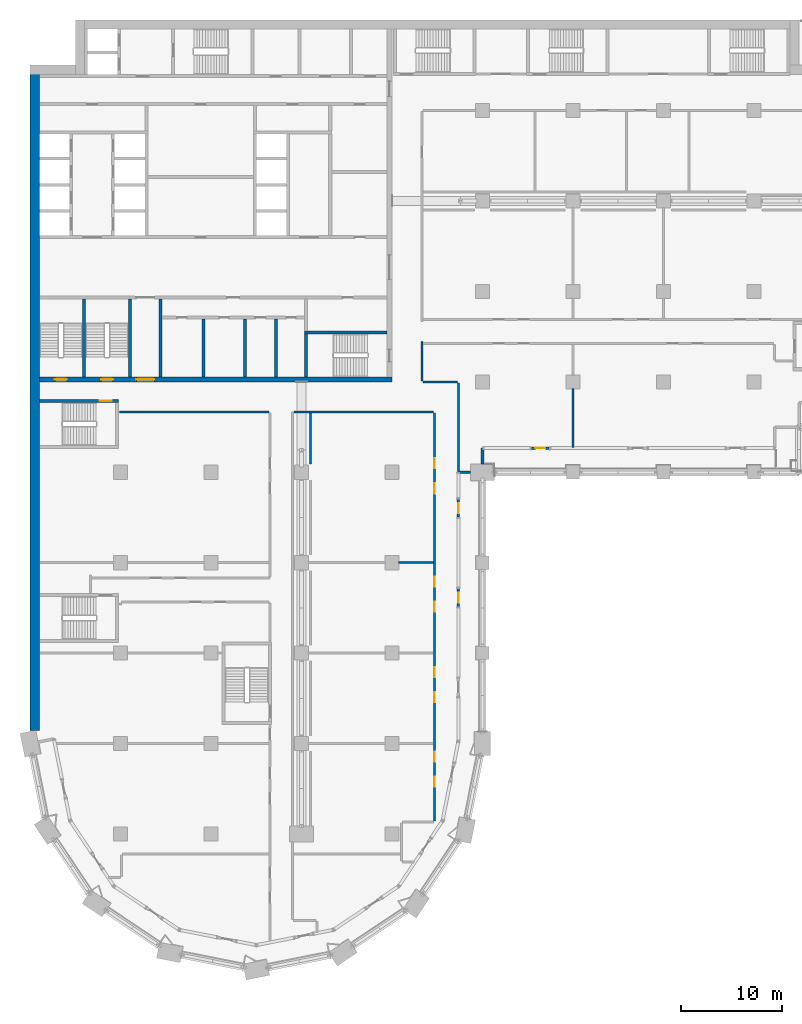
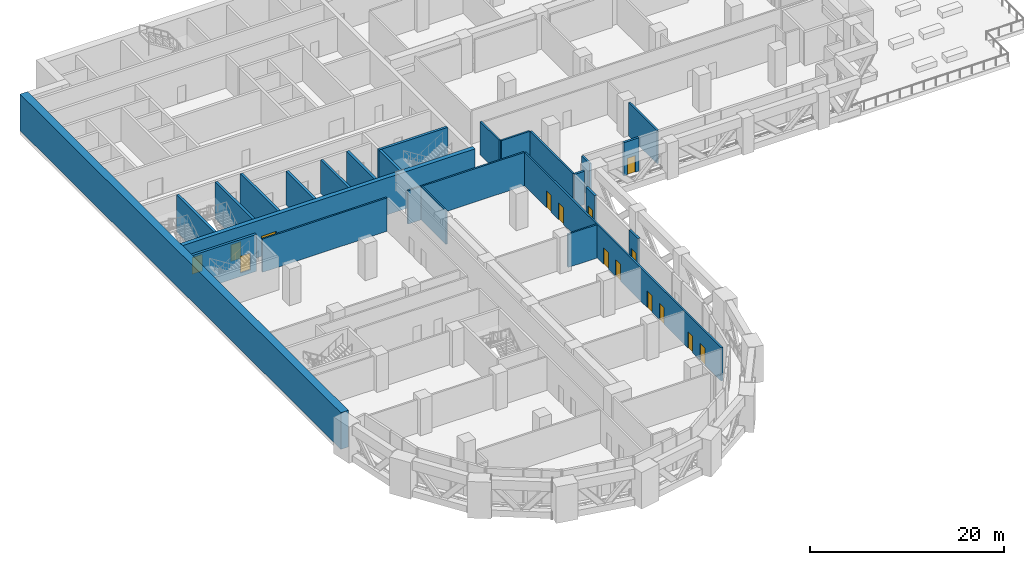
# One storey, part 10 of 24: 25 walls, 15 doors, 15 openings.
"""IFC4 building model written with IfcOpenShell, lengths in metres."""

from ifc_helpers import new_model, si_unit, direction, frame, frame_2d, origin, place, context, subcontext, project, spatial, rectangle, extrude, material, layer, layer_set, type_object, element, fill, save


model = new_model("IFC4")

# Units and contexts
model_context = context("Model", 3, precision=1e-05, world=origin(), true_north=direction((0.0, 1.0)))
body_context = subcontext(model_context, "Body", "Model", "MODEL_VIEW")
ifc_project = project(units=[si_unit("LENGTHUNIT", "METRE"), si_unit("AREAUNIT", "SQUARE_METRE"), si_unit("VOLUMEUNIT", "CUBIC_METRE"), si_unit("PLANEANGLEUNIT", "RADIAN"), si_unit("MASSUNIT", "GRAM", prefix="KILO")], contexts=[model_context])

# Site, building, storey
site_placement = place(None, origin())
site = spatial("IfcSite", under=ifc_project, at=site_placement, CompositionType="ELEMENT")
building_placement = place(site_placement, origin())
building = spatial("IfcBuilding", under=site, at=building_placement, Name="Hunhe Ridgeline Campus", CompositionType="ELEMENT")
storey_placement = place(building_placement, frame((0.0, 0.0, 80.199951171875)))
storey = spatial("IfcBuildingStorey", under=building, at=storey_placement, Name="L19", CompositionType="ELEMENT", Elevation=80.199951171875)

# Walls
ifc_material_1 = material(Name="Masonry concrete blockwork", Category="masonry")
ifc_layer_1 = layer(ifc_material_1, 0.300048828125)
ifc_layer_set_1 = layer_set([ifc_layer_1], Name="Core room partition 300 concrete block")
wall_type_1 = type_object("IfcWallType", Name="Core room partition 300 concrete block", PredefinedType="PARTITIONING", material=ifc_layer_set_1)
wall_1_placement = place(storey_placement, frame((12.949951171875, 63.5, 0.0), z_axis=(0.0, 0.0, 1.0), x_axis=(0.0, 1.0, 0.0)))
element("IfcWall", 1, at=wall_1_placement, inside=storey, type_object=wall_type_1, Name="L19 core partition 48", PredefinedType="PARTITIONING", context=body_context, shape_type="SweptSolid", body=[
    extrude(rectangle(XDim=7.75, YDim=0.300048828125, at=frame_2d((3.875, 0.0))), origin(), (0.0, 0.0, 1.0), 4.199951171875),
])
for number, where, z_axis, x_axis, name in (
    (2, (17.25, 63.5, 0.0), (0.0, 0.0, 1.0), (0.0, 1.0, 0.0), "L19 core partition 50"),
    (3, (21.35009765625, 63.5, 0.0), (0.0, 0.0, 1.0), (0.0, 1.0, 0.0), "L19 core partition 52"),
    (4, (24.449951171875, 63.5, 0.0), (0.0, 0.0, 1.0), (0.0, 1.0, 0.0), "L19 core partition 57"),
):
    element("IfcWall", number, at=place(storey_placement, frame(where, z_axis=z_axis, x_axis=x_axis)), inside=storey, type_object=wall_type_1, Name=name, PredefinedType="PARTITIONING", context=body_context, shape_type="SweptSolid", body=[
        extrude(rectangle(XDim=5.75, YDim=0.300048828125, at=frame_2d((2.875, 0.0))), origin(), (0.0, 0.0, 1.0), 4.199951171875),
    ])

# Wall, openings, doors
ifc_material_2 = material(Name="Concrete C80", Category="concrete")
ifc_layer_2 = layer(ifc_material_2, 0.5)
ifc_layer_set_2 = layer_set([ifc_layer_2], Name="Core wall 500 reinforced concrete C80")
wall_type_2 = type_object("IfcWallType", Name="Core wall 500 reinforced concrete C80", PredefinedType="SOLIDWALL", material=ifc_layer_set_2)
wall_2_placement = place(storey_placement, frame((0.89990234375, 63.25, -0.449951171875), z_axis=(0.0, 0.0, 1.0), x_axis=(1.0, 0.0, 0.0)))
wall_2 = element("IfcWall", 5, at=wall_2_placement, inside=storey, type_object=wall_type_2, Name="L19 core wall 7", PredefinedType="SOLIDWALL", context=body_context, shape_type="SweptSolid", body=[
    extrude(rectangle(XDim=35.10009765625, YDim=0.5, at=frame_2d((17.550048828125, 0.0))), origin(), (0.0, 0.0, 1.0), 4.64990234375),
])
opening_1_placement = place(wall_2_placement, frame((9.64990234375, 0.0, 0.449951171875)))
opening_1 = element("IfcOpeningElement", 6, at=opening_1_placement, cuts=wall_2, Name="Opening CD6", PredefinedType="OPENING", context=body_context, shape_type="SweptSolid", body=[
    extrude(rectangle(XDim=1.800048828125, YDim=2.10009765625, at=frame_2d((0.89990234375, 1.050048828125))), frame((0.0, 0.25, 0.0), z_axis=(0.0, -1.0, 0.0), x_axis=(1.0, 0.0, 0.0)), (0.0, 0.0, 1.0), 0.5),
])
opening_2_placement = place(wall_2_placement, frame((1.550048828125, 0.0, 0.449951171875)))
opening_2 = element("IfcOpeningElement", 7, at=opening_2_placement, cuts=wall_2, Name="Opening CD13", PredefinedType="OPENING", context=body_context, shape_type="SweptSolid", body=[
    extrude(rectangle(XDim=1.199951171875, YDim=2.10009765625, at=frame_2d((0.60009765625, 1.050048828125))), frame((0.0, 0.25, 0.0), z_axis=(0.0, -1.0, 0.0), x_axis=(1.0, 0.0, 0.0)), (0.0, 0.0, 1.0), 0.5),
])
opening_3_placement = place(wall_2_placement, frame((6.14990234375, 0.0, 0.449951171875)))
opening_3 = element("IfcOpeningElement", 8, at=opening_3_placement, cuts=wall_2, Name="Opening CD14", PredefinedType="OPENING", context=body_context, shape_type="SweptSolid", body=[
    extrude(rectangle(XDim=1.199951171875, YDim=2.10009765625, at=frame_2d((0.60009765625, 1.050048828125))), frame((0.0, 0.25, 0.0), z_axis=(0.0, -1.0, 0.0), x_axis=(1.0, 0.0, 0.0)), (0.0, 0.0, 1.0), 0.5),
])
ifc_material_3 = material(Name="Anodised aluminium and glass", Category="aluminium")
door_type_1 = type_object("IfcDoorType", Name="Glazed double door 1800x2100", OperationType="DOUBLE_DOOR_SINGLE_SWING", PredefinedType="DOOR", material=ifc_material_3)
door_1_placement = place(opening_1_placement, frame((1.800048828125, 0.0, 0.0), z_axis=(0.0, 0.0, 1.0), x_axis=(-1.0, 0.0, 0.0)))
door_1 = element("IfcDoor", 9, at=door_1_placement, inside=storey, type_object=door_type_1, Name="L19 door VEST-FLOOR", OperationType="DOUBLE_DOOR_SINGLE_SWING", OverallHeight=2.10009765625, OverallWidth=1.800048828125, PredefinedType="DOOR", context=body_context, shape_type="SweptSolid", body=[
    extrude(rectangle(XDim=1.800048828125, YDim=2.10009765625, at=frame_2d((0.89990234375, 1.050048828125))), frame((0.0, 0.02490234375, 0.0), z_axis=(0.0, -1.0, 0.0), x_axis=(1.0, 0.0, 0.0)), (0.0, 0.0, 1.0), 0.050048828125),
])
fill(opening_1, door_1)
ifc_material_4 = material(Name="Hollow metal fire door leaf")
door_type_2 = type_object("IfcDoorType", Name="Stair door 1200x2100 FD60", OperationType="SINGLE_SWING_LEFT", PredefinedType="DOOR", material=ifc_material_4)
door_2_placement = place(opening_2_placement, frame((1.199951171875, 0.0, 0.0), z_axis=(0.0, 0.0, 1.0), x_axis=(-1.0, 0.0, 0.0)))
door_2 = element("IfcDoor", 10, at=door_2_placement, inside=storey, type_object=door_type_2, Name="L19 door S3", OperationType="SINGLE_SWING_RIGHT", OverallHeight=2.10009765625, OverallWidth=1.199951171875, PredefinedType="DOOR", context=body_context, shape_type="SweptSolid", body=[
    extrude(rectangle(XDim=1.199951171875, YDim=2.10009765625, at=frame_2d((0.60009765625, 1.050048828125))), frame((0.0, 0.02490234375, 0.0), z_axis=(0.0, -1.0, 0.0), x_axis=(1.0, 0.0, 0.0)), (0.0, 0.0, 1.0), 0.050048828125),
])
fill(opening_2, door_2)
door_3_placement = place(opening_3_placement, frame((1.199951171875, 0.0, 0.0), z_axis=(0.0, 0.0, 1.0), x_axis=(-1.0, 0.0, 0.0)))
door_3 = element("IfcDoor", 11, at=door_3_placement, inside=storey, type_object=door_type_2, Name="L19 door S4", OperationType="SINGLE_SWING_LEFT", OverallHeight=2.10009765625, OverallWidth=1.199951171875, PredefinedType="DOOR", context=body_context, shape_type="SweptSolid", body=[
    extrude(rectangle(XDim=1.199951171875, YDim=2.10009765625, at=frame_2d((0.60009765625, 1.050048828125))), frame((0.0, 0.02490234375, 0.0), z_axis=(0.0, -1.0, 0.0), x_axis=(1.0, 0.0, 0.0)), (0.0, 0.0, 1.0), 0.050048828125),
])
fill(opening_3, door_3)

# Walls
ifc_material_5 = material(Name="Concrete C30", Category="concrete")
ifc_layer_3 = layer(ifc_material_5, 0.25)
ifc_layer_set_3 = layer_set([ifc_layer_3], Name="Corner return wall 250 Concrete C30")
wall_type_3 = type_object("IfcWallType", Name="Corner return wall 250 Concrete C30", PredefinedType="SOLIDWALL", material=ifc_layer_set_3)
wall_3_placement = place(storey_placement, frame((42.599365234375, 54.000732421875, 0.0), z_axis=(0.0, 0.0, 1.0), x_axis=(1.0, 0.0, 0.0)))
element("IfcWall", 12, at=wall_3_placement, inside=storey, type_object=wall_type_3, Name="Corner return wall 2", PredefinedType="SOLIDWALL", context=body_context, shape_type="SweptSolid", body=[
    extrude(rectangle(XDim=1.20068359375, YDim=0.25, at=frame_2d((0.600341796875, 0.0))), origin(), (0.0, 0.0, 1.0), 4.199951171875),
])
wall_4_placement = place(storey_placement, frame((44.999267578125, 54.800048828125, 0.0), z_axis=(0.0, 0.0, 1.0), x_axis=(0.00045752626, 0.999999895335, 0.0)))
element("IfcWall", 13, at=wall_4_placement, inside=storey, type_object=wall_type_3, Name="Corner return wall 3", PredefinedType="SOLIDWALL", context=body_context, shape_type="SweptSolid", body=[
    extrude(rectangle(XDim=1.600830078125, YDim=0.25, at=frame_2d((0.80029296875, 0.0))), origin(), (0.0, 0.0, 1.0), 4.199951171875),
])
ifc_material_6 = material(Name="Gypsum board partition")
ifc_layer_4 = layer(ifc_material_6, 0.199951171875)
ifc_layer_set_4 = layer_set([ifc_layer_4], Name="Corridor partition 200 gypsum board on steel studs")
wall_type_4 = type_object("IfcWallType", Name="Corridor partition 200 gypsum board on steel studs", PredefinedType="PARTITIONING", material=ifc_layer_set_4)
wall_5_placement = place(storey_placement, frame((36.64990234375, 45.0, 0.0), z_axis=(0.0, 0.0, 1.0), x_axis=(1.0, 0.0, 0.0)))
element("IfcWall", 14, at=wall_5_placement, inside=storey, type_object=wall_type_4, Name="F-L19-wall-023", PredefinedType="PARTITIONING", context=body_context, shape_type="SweptSolid", body=[
    extrude(rectangle(XDim=3.4501953125, YDim=0.199951171875, at=frame_2d((1.72509765625, 0.0))), origin(), (0.0, 0.0, 1.0), 4.199951171875),
])
wall_6_placement = place(storey_placement, frame((23.75, 60.0, 0.0), z_axis=(0.0, 0.0, 1.0), x_axis=(-1.0, 0.0, 0.0)))
element("IfcWall", 15, at=wall_6_placement, inside=storey, type_object=wall_type_4, Name="F-L19-wall-024", PredefinedType="PARTITIONING", context=body_context, shape_type="SweptSolid", body=[
    extrude(rectangle(XDim=14.845947265625, YDim=0.199951171875, at=frame_2d((7.4228515625, 0.0))), origin(), (0.0, 0.0, 1.0), 4.199951171875),
])
wall_7_placement = place(storey_placement, frame((40.10009765625, 60.0, 0.0), z_axis=(0.0, 0.0, 1.0), x_axis=(-1.0, 0.0, 0.0)))
element("IfcWall", 16, at=wall_7_placement, inside=storey, type_object=wall_type_4, Name="F-L19-wall-025", PredefinedType="PARTITIONING", context=body_context, shape_type="SweptSolid", body=[
    extrude(rectangle(XDim=13.8525390625, YDim=0.199951171875, at=frame_2d((6.92626953125, 0.0))), origin(), (0.0, 0.0, 1.0), 4.199951171875),
])
wall_8_placement = place(storey_placement, frame((39.10009765625, 63.0, 0.0), z_axis=(0.0, 0.0, 1.0), x_axis=(1.0, 0.0, 0.0)))
element("IfcWall", 17, at=wall_8_placement, inside=storey, type_object=wall_type_4, Name="F-L19-wall-026", PredefinedType="PARTITIONING", context=body_context, shape_type="SweptSolid", body=[
    extrude(rectangle(XDim=3.39990234375, YDim=0.199951171875, at=frame_2d((1.699951171875, 0.0))), origin(), (0.0, 0.0, 1.0), 4.199951171875),
])
wall_9_placement = place(storey_placement, frame((27.89990234375, 59.89990234375, 0.0), z_axis=(0.0, 0.0, 1.0), x_axis=(0.0, -1.0, 0.0)))
element("IfcWall", 18, at=wall_9_placement, inside=storey, type_object=wall_type_4, Name="F-L19-wall-056", PredefinedType="PARTITIONING", context=body_context, shape_type="SweptSolid", body=[
    extrude(rectangle(XDim=5.099853515625, YDim=0.199951171875, at=frame_2d((2.5498046875, 0.0))), origin(), (0.0, 0.0, 1.0), 4.199951171875),
])
wall_10_placement = place(storey_placement, frame((39.0, 66.986328125, 0.0), z_axis=(0.0, 0.0, 1.0), x_axis=(0.0, -1.0, 0.0)))
element("IfcWall", 19, at=wall_10_placement, inside=storey, type_object=wall_type_4, Name="F-L19-wall-059", PredefinedType="PARTITIONING", context=body_context, shape_type="SweptSolid", body=[
    extrude(rectangle(XDim=3.88623046875, YDim=0.199951171875, at=frame_2d((1.943115234375, 0.0))), origin(), (0.0, 0.0, 1.0), 4.199951171875),
])

# Wall, openings, doors
wall_11_placement = place(storey_placement, frame((40.199951171875, 19.322021484375, 0.0), z_axis=(0.0, 0.0, 1.0), x_axis=(0.0, 1.0, 0.0)))
wall_11 = element("IfcWall", 20, at=wall_11_placement, inside=storey, type_object=wall_type_4, Name="F-L19-wall-061", PredefinedType="PARTITIONING", context=body_context, shape_type="SweptSolid", body=[
    extrude(rectangle(XDim=40.577880859375, YDim=0.199951171875, at=frame_2d((20.2890625, 0.0))), origin(), (0.0, 0.0, 1.0), 4.199951171875),
])
opening_4_placement = place(wall_11_placement, frame((3.382568359375, 0.0, 0.0)))
opening_4 = element("IfcOpeningElement", 21, at=opening_4_placement, cuts=wall_11, Name="Opening RD1-004", PredefinedType="OPENING", context=body_context, shape_type="SweptSolid", body=[
    extrude(rectangle(XDim=1.0, YDim=2.10009765625, at=frame_2d((0.5, 1.050048828125))), frame((0.0, 0.10009765625, 0.0), z_axis=(0.0, -1.0, 0.0), x_axis=(1.0, 0.0, 0.0)), (0.0, 0.0, 1.0), 0.199951171875),
])
opening_5_placement = place(wall_11_placement, frame((5.882568359375, 0.0, 0.0)))
opening_5 = element("IfcOpeningElement", 22, at=opening_5_placement, cuts=wall_11, Name="Opening RD1-006", PredefinedType="OPENING", context=body_context, shape_type="SweptSolid", body=[
    extrude(rectangle(XDim=1.0, YDim=2.10009765625, at=frame_2d((0.5, 1.050048828125))), frame((0.0, 0.10009765625, 0.0), z_axis=(0.0, -1.0, 0.0), x_axis=(1.0, 0.0, 0.0)), (0.0, 0.0, 1.0), 0.199951171875),
])
opening_6_placement = place(wall_11_placement, frame((11.773681640625, 0.0, 0.0)))
opening_6 = element("IfcOpeningElement", 23, at=opening_6_placement, cuts=wall_11, Name="Opening RD1-008", PredefinedType="OPENING", context=body_context, shape_type="SweptSolid", body=[
    extrude(rectangle(XDim=1.0, YDim=2.10009765625, at=frame_2d((0.5, 1.050048828125))), frame((0.0, 0.10009765625, 0.0), z_axis=(0.0, -1.0, 0.0), x_axis=(1.0, 0.0, 0.0)), (0.0, 0.0, 1.0), 0.199951171875),
])
opening_7_placement = place(wall_11_placement, frame((14.273681640625, 0.0, 0.0)))
opening_7 = element("IfcOpeningElement", 24, at=opening_7_placement, cuts=wall_11, Name="Opening RD1-009", PredefinedType="OPENING", context=body_context, shape_type="SweptSolid", body=[
    extrude(rectangle(XDim=1.0, YDim=2.10009765625, at=frame_2d((0.5, 1.050048828125))), frame((0.0, 0.10009765625, 0.0), z_axis=(0.0, -1.0, 0.0), x_axis=(1.0, 0.0, 0.0)), (0.0, 0.0, 1.0), 0.199951171875),
])
opening_8_placement = place(wall_11_placement, frame((20.791015625, 0.0, 0.0)))
opening_8 = element("IfcOpeningElement", 25, at=opening_8_placement, cuts=wall_11, Name="Opening RD1-010", PredefinedType="OPENING", context=body_context, shape_type="SweptSolid", body=[
    extrude(rectangle(XDim=1.0, YDim=2.10009765625, at=frame_2d((0.5, 1.050048828125))), frame((0.0, 0.10009765625, 0.0), z_axis=(0.0, -1.0, 0.0), x_axis=(1.0, 0.0, 0.0)), (0.0, 0.0, 1.0), 0.199951171875),
])
opening_9_placement = place(wall_11_placement, frame((23.291015625, 0.0, 0.0)))
opening_9 = element("IfcOpeningElement", 26, at=opening_9_placement, cuts=wall_11, Name="Opening RD1-013", PredefinedType="OPENING", context=body_context, shape_type="SweptSolid", body=[
    extrude(rectangle(XDim=1.0, YDim=2.10009765625, at=frame_2d((0.5, 1.050048828125))), frame((0.0, 0.10009765625, 0.0), z_axis=(0.0, -1.0, 0.0), x_axis=(1.0, 0.0, 0.0)), (0.0, 0.0, 1.0), 0.199951171875),
])
opening_10_placement = place(wall_11_placement, frame((32.563720703125, 0.0, 0.0)))
opening_10 = element("IfcOpeningElement", 27, at=opening_10_placement, cuts=wall_11, Name="Opening RD1-017", PredefinedType="OPENING", context=body_context, shape_type="SweptSolid", body=[
    extrude(rectangle(XDim=1.0, YDim=2.10009765625, at=frame_2d((0.5, 1.050048828125))), frame((0.0, 0.10009765625, 0.0), z_axis=(0.0, -1.0, 0.0), x_axis=(1.0, 0.0, 0.0)), (0.0, 0.0, 1.0), 0.199951171875),
])
opening_11_placement = place(wall_11_placement, frame((35.063720703125, 0.0, 0.0)))
opening_11 = element("IfcOpeningElement", 28, at=opening_11_placement, cuts=wall_11, Name="Opening RD1-019", PredefinedType="OPENING", context=body_context, shape_type="SweptSolid", body=[
    extrude(rectangle(XDim=1.0, YDim=2.10009765625, at=frame_2d((0.5, 1.050048828125))), frame((0.0, 0.10009765625, 0.0), z_axis=(0.0, -1.0, 0.0), x_axis=(1.0, 0.0, 0.0)), (0.0, 0.0, 1.0), 0.199951171875),
])
ifc_material_7 = material(Name="Timber door leaf", Category="wood")
door_type_3 = type_object("IfcDoorType", Name="Single fire door 1000x2100 timber FD60", OperationType="NOTDEFINED", PredefinedType="DOOR", material=ifc_material_7)
door_4_placement = place(opening_4_placement, frame((1.0, 0.0, 0.0), z_axis=(0.0, 0.0, 1.0), x_axis=(-1.0, 0.0, 0.0)))
door_4 = element("IfcDoor", 29, at=door_4_placement, inside=storey, type_object=door_type_3, Name="F-L19-door-004", OperationType="SINGLE_SWING_RIGHT", OverallHeight=2.10009765625, OverallWidth=1.0, PredefinedType="DOOR", context=body_context, shape_type="SweptSolid", body=[
    extrude(rectangle(XDim=1.0, YDim=2.10009765625, at=frame_2d((0.5, 1.050048828125))), frame((0.0, 0.02490234375, 0.0), z_axis=(0.0, -1.0, 0.0), x_axis=(1.0, 0.0, 0.0)), (0.0, 0.0, 1.0), 0.050048828125),
])
fill(opening_4, door_4)
door_5_placement = place(opening_5_placement, frame((1.0, 0.0, 0.0), z_axis=(0.0, 0.0, 1.0), x_axis=(-1.0, 0.0, 0.0)))
door_5 = element("IfcDoor", 30, at=door_5_placement, inside=storey, type_object=door_type_3, Name="F-L19-door-006", OperationType="SINGLE_SWING_LEFT", OverallHeight=2.10009765625, OverallWidth=1.0, PredefinedType="DOOR", context=body_context, shape_type="SweptSolid", body=[
    extrude(rectangle(XDim=1.0, YDim=2.10009765625, at=frame_2d((0.5, 1.050048828125))), frame((0.0, 0.02490234375, 0.0), z_axis=(0.0, -1.0, 0.0), x_axis=(1.0, 0.0, 0.0)), (0.0, 0.0, 1.0), 0.050048828125),
])
fill(opening_5, door_5)
door_6_placement = place(opening_6_placement, frame((1.0, 0.0, 0.0), z_axis=(0.0, 0.0, 1.0), x_axis=(-1.0, 0.0, 0.0)))
door_6 = element("IfcDoor", 31, at=door_6_placement, inside=storey, type_object=door_type_3, Name="F-L19-door-008", OperationType="SINGLE_SWING_LEFT", OverallHeight=2.10009765625, OverallWidth=1.0, PredefinedType="DOOR", context=body_context, shape_type="SweptSolid", body=[
    extrude(rectangle(XDim=1.0, YDim=2.10009765625, at=frame_2d((0.5, 1.050048828125))), frame((0.0, 0.02490234375, 0.0), z_axis=(0.0, -1.0, 0.0), x_axis=(1.0, 0.0, 0.0)), (0.0, 0.0, 1.0), 0.050048828125),
])
fill(opening_6, door_6)
door_7_placement = place(opening_7_placement, frame((1.0, 0.0, 0.0), z_axis=(0.0, 0.0, 1.0), x_axis=(-1.0, 0.0, 0.0)))
door_7 = element("IfcDoor", 32, at=door_7_placement, inside=storey, type_object=door_type_3, Name="F-L19-door-009", OperationType="SINGLE_SWING_LEFT", OverallHeight=2.10009765625, OverallWidth=1.0, PredefinedType="DOOR", context=body_context, shape_type="SweptSolid", body=[
    extrude(rectangle(XDim=1.0, YDim=2.10009765625, at=frame_2d((0.5, 1.050048828125))), frame((0.0, 0.02490234375, 0.0), z_axis=(0.0, -1.0, 0.0), x_axis=(1.0, 0.0, 0.0)), (0.0, 0.0, 1.0), 0.050048828125),
])
fill(opening_7, door_7)
door_8_placement = place(opening_8_placement, frame((1.0, 0.0, 0.0), z_axis=(0.0, 0.0, 1.0), x_axis=(-1.0, 0.0, 0.0)))
door_8 = element("IfcDoor", 33, at=door_8_placement, inside=storey, type_object=door_type_3, Name="F-L19-door-010", OperationType="SINGLE_SWING_LEFT", OverallHeight=2.10009765625, OverallWidth=1.0, PredefinedType="DOOR", context=body_context, shape_type="SweptSolid", body=[
    extrude(rectangle(XDim=1.0, YDim=2.10009765625, at=frame_2d((0.5, 1.050048828125))), frame((0.0, 0.02490234375, 0.0), z_axis=(0.0, -1.0, 0.0), x_axis=(1.0, 0.0, 0.0)), (0.0, 0.0, 1.0), 0.050048828125),
])
fill(opening_8, door_8)
door_9_placement = place(opening_9_placement, frame((1.0, 0.0, 0.0), z_axis=(0.0, 0.0, 1.0), x_axis=(-1.0, 0.0, 0.0)))
door_9 = element("IfcDoor", 34, at=door_9_placement, inside=storey, type_object=door_type_3, Name="F-L19-door-013", OperationType="SINGLE_SWING_LEFT", OverallHeight=2.10009765625, OverallWidth=1.0, PredefinedType="DOOR", context=body_context, shape_type="SweptSolid", body=[
    extrude(rectangle(XDim=1.0, YDim=2.10009765625, at=frame_2d((0.5, 1.050048828125))), frame((0.0, 0.02490234375, 0.0), z_axis=(0.0, -1.0, 0.0), x_axis=(1.0, 0.0, 0.0)), (0.0, 0.0, 1.0), 0.050048828125),
])
fill(opening_9, door_9)
door_10_placement = place(opening_10_placement, frame((1.0, 0.0, 0.0), z_axis=(0.0, 0.0, 1.0), x_axis=(-1.0, 0.0, 0.0)))
door_10 = element("IfcDoor", 35, at=door_10_placement, inside=storey, type_object=door_type_3, Name="F-L19-door-017", OperationType="SINGLE_SWING_RIGHT", OverallHeight=2.10009765625, OverallWidth=1.0, PredefinedType="DOOR", context=body_context, shape_type="SweptSolid", body=[
    extrude(rectangle(XDim=1.0, YDim=2.10009765625, at=frame_2d((0.5, 1.050048828125))), frame((0.0, 0.02490234375, 0.0), z_axis=(0.0, -1.0, 0.0), x_axis=(1.0, 0.0, 0.0)), (0.0, 0.0, 1.0), 0.050048828125),
])
fill(opening_10, door_10)
door_11_placement = place(opening_11_placement, frame((1.0, 0.0, 0.0), z_axis=(0.0, 0.0, 1.0), x_axis=(-1.0, 0.0, 0.0)))
door_11 = element("IfcDoor", 36, at=door_11_placement, inside=storey, type_object=door_type_3, Name="F-L19-door-019", OperationType="SINGLE_SWING_LEFT", OverallHeight=2.10009765625, OverallWidth=1.0, PredefinedType="DOOR", context=body_context, shape_type="SweptSolid", body=[
    extrude(rectangle(XDim=1.0, YDim=2.10009765625, at=frame_2d((0.5, 1.050048828125))), frame((0.0, 0.02490234375, 0.0), z_axis=(0.0, -1.0, 0.0), x_axis=(1.0, 0.0, 0.0)), (0.0, 0.0, 1.0), 0.050048828125),
])
fill(opening_11, door_11)

# Walls
wall_12_placement = place(storey_placement, frame((42.60009765625, 62.89990234375, 0.0), z_axis=(0.0, 0.0, 1.0), x_axis=(0.0, -1.0, 0.0)))
element("IfcWall", 37, at=wall_12_placement, inside=storey, type_object=wall_type_4, Name="F-L19-wall-062", PredefinedType="PARTITIONING", context=body_context, shape_type="SweptSolid", body=[
    extrude(rectangle(XDim=8.84521484375, YDim=0.199951171875, at=frame_2d((4.422607421875, 0.0))), origin(), (0.0, 0.0, 1.0), 4.199951171875),
])
wall_13_placement = place(storey_placement, frame((54.0, 62.35009765625, 0.0), z_axis=(0.0, 0.0, 1.0), x_axis=(0.0, -1.0, 0.0)))
element("IfcWall", 38, at=wall_13_placement, inside=storey, type_object=wall_type_4, Name="F-L19-wall-064", PredefinedType="PARTITIONING", context=body_context, shape_type="SweptSolid", body=[
    extrude(rectangle(XDim=5.89501953125, YDim=0.199951171875, at=frame_2d((2.947509765625, 0.0))), origin(), (0.0, 0.0, 1.0), 4.199951171875),
])

# Wall, opening, door
ifc_layer_5 = layer(ifc_material_5, 0.25)
ifc_layer_set_5 = layer_set([ifc_layer_5], Name="Loggia door pier wall 250 Concrete C30")
wall_type_5 = type_object("IfcWallType", Name="Loggia door pier wall 250 Concrete C30", PredefinedType="SOLIDWALL", material=ifc_layer_set_5)
wall_14_placement = place(storey_placement, frame((42.59912109375, 40.61865234375, 0.0), z_axis=(0.0, 0.0, 1.0), x_axis=(0.0, 1.0, 0.0)))
wall_14 = element("IfcWall", 39, at=wall_14_placement, inside=storey, type_object=wall_type_5, Name="Loggia door pier 10", PredefinedType="SOLIDWALL", context=body_context, shape_type="SweptSolid", body=[
    extrude(rectangle(XDim=1.800048828125, YDim=0.25, at=frame_2d((0.89990234375, 0.0))), origin(), (0.0, 0.0, 1.0), 4.199951171875),
])
opening_12_placement = place(wall_14_placement, frame((0.39990234375, 0.0, 0.0)))
opening_12 = element("IfcOpeningElement", 40, at=opening_12_placement, cuts=wall_14, Name="Opening BR210", PredefinedType="OPENING", context=body_context, shape_type="SweptSolid", body=[
    extrude(rectangle(XDim=1.0, YDim=2.10009765625, at=frame_2d((0.5, 1.050048828125))), frame((0.0, 0.125, 0.0), z_axis=(0.0, -1.0, 0.0), x_axis=(1.0, 0.0, 0.0)), (0.0, 0.0, 1.0), 0.25),
])
ifc_material_8 = material(Name="Aluminium 6063", Category="aluminium")
door_type_4 = type_object("IfcDoorType", Name="Loggia glazed door 1000x2100", OperationType="NOTDEFINED", PredefinedType="DOOR", material=ifc_material_8)
door_12_placement = place(opening_12_placement, frame((1.0, 0.0, 0.0), z_axis=(0.0, 0.0, 1.0), x_axis=(-1.0, 0.0, 0.0)))
door_12 = element("IfcDoor", 41, at=door_12_placement, inside=storey, type_object=door_type_4, Name="Loggia door BR210", OperationType="SINGLE_SWING_LEFT", OverallHeight=2.10009765625, OverallWidth=1.0, PredefinedType="DOOR", context=body_context, shape_type="SweptSolid", body=[
    extrude(rectangle(XDim=1.0, YDim=2.10009765625, at=frame_2d((0.5, 1.050048828125))), frame((0.0, 0.02490234375, 0.0), z_axis=(0.0, -1.0, 0.0), x_axis=(1.0, 0.0, 0.0)), (0.0, 0.0, 1.0), 0.050048828125),
])
fill(opening_12, door_12)

wall_15_placement = place(storey_placement, frame((42.599365234375, 49.5400390625, 0.0), z_axis=(0.0, 0.0, 1.0), x_axis=(0.0, 1.0, 0.0)))
wall_15 = element("IfcWall", 42, at=wall_15_placement, inside=storey, type_object=wall_type_5, Name="Loggia door pier 11", PredefinedType="SOLIDWALL", context=body_context, shape_type="SweptSolid", body=[
    extrude(rectangle(XDim=1.800048828125, YDim=0.25, at=frame_2d((0.89990234375, 0.0))), origin(), (0.0, 0.0, 1.0), 4.199951171875),
])
opening_13_placement = place(wall_15_placement, frame((0.39990234375, 0.0, 0.0)))
opening_13 = element("IfcOpeningElement", 43, at=opening_13_placement, cuts=wall_15, Name="Opening BR211", PredefinedType="OPENING", context=body_context, shape_type="SweptSolid", body=[
    extrude(rectangle(XDim=1.0, YDim=2.10009765625, at=frame_2d((0.5, 1.050048828125))), frame((0.0, 0.125, 0.0), z_axis=(0.0, -1.0, 0.0), x_axis=(1.0, 0.0, 0.0)), (0.0, 0.0, 1.0), 0.25),
])
door_13_placement = place(opening_13_placement, frame((1.0, 0.0, 0.0), z_axis=(0.0, 0.0, 1.0), x_axis=(-1.0, 0.0, 0.0)))
door_13 = element("IfcDoor", 44, at=door_13_placement, inside=storey, type_object=door_type_4, Name="Loggia door BR211", OperationType="SINGLE_SWING_RIGHT", OverallHeight=2.10009765625, OverallWidth=1.0, PredefinedType="DOOR", context=body_context, shape_type="SweptSolid", body=[
    extrude(rectangle(XDim=1.0, YDim=2.10009765625, at=frame_2d((0.5, 1.050048828125))), frame((0.0, 0.02490234375, 0.0), z_axis=(0.0, -1.0, 0.0), x_axis=(1.0, 0.0, 0.0)), (0.0, 0.0, 1.0), 0.050048828125),
])
fill(opening_13, door_13)

wall_16_placement = place(storey_placement, frame((49.849853515625, 56.40087890625, 0.0), z_axis=(0.0, 0.0, 1.0), x_axis=(1.0, 0.0, 0.0)))
wall_16 = element("IfcWall", 45, at=wall_16_placement, inside=storey, type_object=wall_type_5, Name="Loggia door pier 12", PredefinedType="SOLIDWALL", context=body_context, shape_type="SweptSolid", body=[
    extrude(rectangle(XDim=1.7998046875, YDim=0.25, at=frame_2d((0.89990234375, 0.0))), origin(), (0.0, 0.0, 1.0), 4.199951171875),
])
opening_14_placement = place(wall_16_placement, frame((0.39990234375, 0.0, 0.0)))
opening_14 = element("IfcOpeningElement", 46, at=opening_14_placement, cuts=wall_16, Name="Opening BR212", PredefinedType="OPENING", context=body_context, shape_type="SweptSolid", body=[
    extrude(rectangle(XDim=1.0, YDim=2.10009765625, at=frame_2d((0.5, 1.050048828125))), frame((0.0, 0.125, 0.0), z_axis=(0.0, -1.0, 0.0), x_axis=(1.0, 0.0, 0.0)), (0.0, 0.0, 1.0), 0.25),
])
door_14_placement = place(opening_14_placement, frame((1.0, 0.0, 0.0), z_axis=(0.0, 0.0, 1.0), x_axis=(-1.0, 0.0, 0.0)))
door_14 = element("IfcDoor", 47, at=door_14_placement, inside=storey, type_object=door_type_4, Name="Loggia door BR212", OperationType="SINGLE_SWING_LEFT", OverallHeight=2.10009765625, OverallWidth=1.0, PredefinedType="DOOR", context=body_context, shape_type="SweptSolid", body=[
    extrude(rectangle(XDim=1.0, YDim=2.10009765625, at=frame_2d((0.5, 1.050048828125))), frame((0.0, 0.02490234375, 0.0), z_axis=(0.0, -1.0, 0.0), x_axis=(1.0, 0.0, 0.0)), (0.0, 0.0, 1.0), 0.050048828125),
])
fill(opening_14, door_14)

# Wall
ifc_material_9 = material(Name="Concrete C70", Category="concrete")
ifc_layer_6 = layer(ifc_material_9, 0.89990234375)
ifc_layer_set_6 = layer_set([ifc_layer_6], Name="Spine wall 900 Concrete C70")
wall_type_6 = type_object("IfcWallType", Name="Spine wall 900 Concrete C70", PredefinedType="SHEAR", material=ifc_layer_set_6)
wall_17_placement = place(storey_placement, frame((0.449951171875, 94.5, 0.0), z_axis=(0.0, 0.0, 1.0), x_axis=(0.0, -1.0, 0.0)))
element("IfcWall", 48, at=wall_17_placement, inside=storey, type_object=wall_type_6, Name="Spine wall SW2-1 L19", PredefinedType="SHEAR", context=body_context, shape_type="SweptSolid", body=[
    extrude(rectangle(XDim=66.18701171875, YDim=0.89990234375, at=frame_2d((33.093505859375, 0.0))), origin(), (0.0, 0.0, 1.0), 4.60009765625),
])

# Wall, opening, door
ifc_layer_7 = layer(ifc_material_2, 0.300048828125)
ifc_layer_set_7 = layer_set([ifc_layer_7], Name="Stair wall 300 reinforced concrete C80")
wall_type_7 = type_object("IfcWallType", Name="Stair wall 300 reinforced concrete C80", PredefinedType="SOLIDWALL", material=ifc_layer_set_7)
wall_18_placement = place(storey_placement, frame((0.89990234375, 61.10009765625, -0.449951171875), z_axis=(0.0, 0.0, 1.0), x_axis=(1.0, 0.0, 0.0)))
wall_18 = element("IfcWall", 49, at=wall_18_placement, inside=storey, type_object=wall_type_7, Name="L19 core wall 6", PredefinedType="SOLIDWALL", context=body_context, shape_type="SweptSolid", body=[
    extrude(rectangle(XDim=7.900146484375, YDim=0.300048828125, at=frame_2d((3.9501953125, 0.0))), origin(), (0.0, 0.0, 1.0), 4.64990234375),
])
opening_15_placement = place(wall_18_placement, frame((6.0, 0.0, 0.449951171875)))
opening_15 = element("IfcOpeningElement", 50, at=opening_15_placement, cuts=wall_18, Name="Opening CD22", PredefinedType="OPENING", context=body_context, shape_type="SweptSolid", body=[
    extrude(rectangle(XDim=1.199951171875, YDim=2.10009765625, at=frame_2d((0.60009765625, 1.050048828125))), frame((0.0, 0.14990234375, 0.0), z_axis=(0.0, -1.0, 0.0), x_axis=(1.0, 0.0, 0.0)), (0.0, 0.0, 1.0), 0.300048828125),
])
door_15_placement = place(opening_15_placement, origin())
door_15 = element("IfcDoor", 51, at=door_15_placement, inside=storey, type_object=door_type_2, Name="L19 door W2", OperationType="SINGLE_SWING_RIGHT", OverallHeight=2.10009765625, OverallWidth=1.199951171875, PredefinedType="DOOR", context=body_context, shape_type="SweptSolid", body=[
    extrude(rectangle(XDim=1.199951171875, YDim=2.10009765625, at=frame_2d((0.60009765625, 1.050048828125))), frame((0.0, 0.02490234375, 0.0), z_axis=(0.0, -1.0, 0.0), x_axis=(1.0, 0.0, 0.0)), (0.0, 0.0, 1.0), 0.050048828125),
])
fill(opening_15, door_15)

# Walls
wall_19_placement = place(storey_placement, frame((27.300048828125, 67.89990234375, -0.449951171875), z_axis=(0.0, 0.0, 1.0), x_axis=(1.0, 0.0, 0.0)))
element("IfcWall", 52, at=wall_19_placement, inside=storey, type_object=wall_type_7, Name="L19 core wall 9", PredefinedType="SOLIDWALL", context=body_context, shape_type="SweptSolid", body=[
    extrude(rectangle(XDim=8.199951171875, YDim=0.300048828125, at=frame_2d((4.10009765625, 0.0))), origin(), (0.0, 0.0, 1.0), 4.64990234375),
])
for number, where, z_axis, x_axis, name in (
    (53, (5.35009765625, 63.5, -0.449951171875), (0.0, 0.0, 1.0), (0.0, 1.0, 0.0), "L19 core wall 39"),
    (54, (9.949951171875, 63.5, -0.449951171875), (0.0, 0.0, 1.0), (0.0, 1.0, 0.0), "L19 core wall 45"),
):
    element("IfcWall", number, at=place(storey_placement, frame(where, z_axis=z_axis, x_axis=x_axis)), inside=storey, type_object=wall_type_7, Name=name, PredefinedType="SOLIDWALL", context=body_context, shape_type="SweptSolid", body=[
        extrude(rectangle(XDim=7.75, YDim=0.300048828125, at=frame_2d((3.875, 0.0))), origin(), (0.0, 0.0, 1.0), 4.64990234375),
    ])
wall_20_placement = place(storey_placement, frame((27.449951171875, 63.5, -0.449951171875), z_axis=(0.0, 0.0, 1.0), x_axis=(0.0, 1.0, 0.0)))
element("IfcWall", 55, at=wall_20_placement, inside=storey, type_object=wall_type_7, Name="L19 core wall 60", PredefinedType="SOLIDWALL", context=body_context, shape_type="SweptSolid", body=[
    extrude(rectangle(XDim=4.25, YDim=0.300048828125, at=frame_2d((2.125, 0.0))), origin(), (0.0, 0.0, 1.0), 4.64990234375),
])

save(model, "model.ifc")
